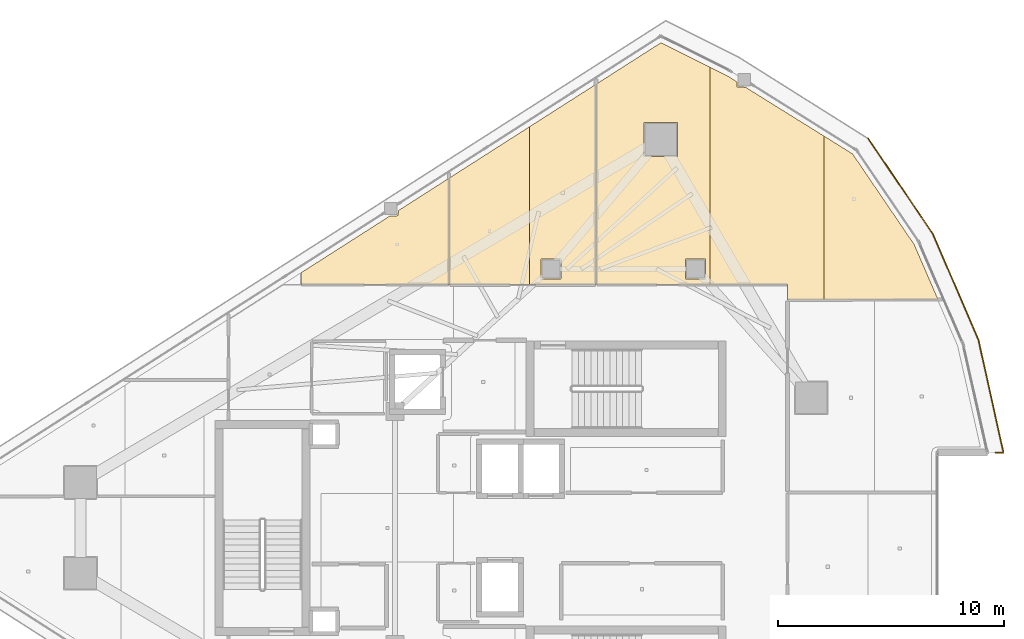
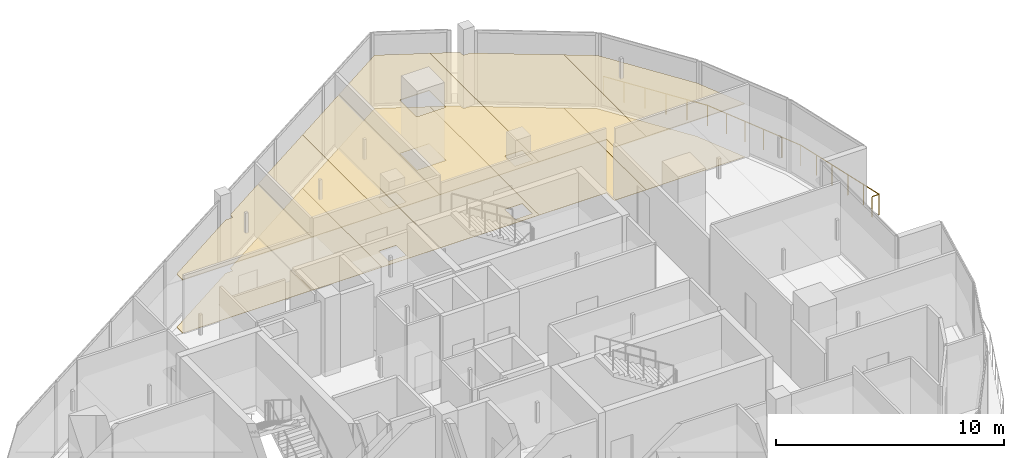
# One storey, part 23 of 23: 12 coverings, 1 railing.
"""IFC4 building model written with IfcOpenShell, lengths in metres."""

from ifc_helpers import new_model, si_unit, direction, frame, origin, origin_2d, place, context, subcontext, project, spatial, polyline, circle, outline, extrude, material, layer, layer_set, type_object, element, save


model = new_model("IFC4")

# Units and contexts
model_context = context("Model", 3, precision=1e-05, world=origin(), true_north=direction((0.0, 1.0)))
body_context = subcontext(model_context, "Body", "Model", "MODEL_VIEW")
ifc_project = project(units=[si_unit("LENGTHUNIT", "METRE"), si_unit("AREAUNIT", "SQUARE_METRE"), si_unit("VOLUMEUNIT", "CUBIC_METRE"), si_unit("PLANEANGLEUNIT", "RADIAN"), si_unit("MASSUNIT", "GRAM", prefix="KILO")], contexts=[model_context])

# Site, building, storey
site_placement = place(None, origin())
site = spatial("IfcSite", under=ifc_project, at=site_placement, CompositionType="ELEMENT")
building_placement = place(site_placement, origin())
building = spatial("IfcBuilding", under=site, at=building_placement, Name="Qorvath Tower", CompositionType="ELEMENT")
storey_placement = place(building_placement, frame((0.0, 0.0, 310.199951171875)))
storey = spatial("IfcBuildingStorey", under=building, at=storey_placement, Name="L72", CompositionType="ELEMENT", Elevation=310.199951171875)

# Coverings
ifc_material_1 = material(Name="Acoustic mineral fibre ceiling tile", Category="gypsum")
ifc_layer_1 = layer(ifc_material_1, 0.030029296875)
ifc_layer_set_1 = layer_set([ifc_layer_1], Name="COV-CEIL")
covering_type_1 = type_object("IfcCoveringType", Name="COV-CEIL", PredefinedType="CEILING", material=ifc_layer_set_1)
covering_1_placement = place(storey_placement, frame((0.0, 0.0, 2.85009765625)))
element("IfcCovering", 1, at=covering_1_placement, inside=storey, type_object=covering_type_1, Name="L72 Suspended Acoustic Ceiling 013", PredefinedType="CEILING", context=body_context, shape_type="SweptSolid", body=[
    extrude(outline(polyline([(-28.106689453125, 15.464599609375), (-30.34228515625, 14.035888671875), (-30.35986328125, 13.806884765625), (-30.72802734375, 13.789306640625), (-34.64501953125, 11.285888671875), (-34.64501953125, 10.762939453125), (-28.106689453125, 10.762939453125), (-28.106689453125, 15.464599609375)])), origin(), (0.0, 0.0, 1.0), 0.030029296875),
])
covering_2_placement = place(storey_placement, frame((0.0, 0.0, 2.85009765625)))
element("IfcCovering", 2, at=covering_2_placement, inside=storey, type_object=covering_type_1, Name="L72 Suspended Acoustic Ceiling 014", PredefinedType="CEILING", context=body_context, shape_type="SweptSolid", body=[
    extrude(outline(polyline([(-28.0888671875, 15.47607421875), (-28.0888671875, 10.762939453125), (-24.537353515625, 10.762939453125), (-24.537353515625, 17.745849609375), (-28.0888671875, 15.47607421875)])), origin(), (0.0, 0.0, 1.0), 0.030029296875),
])
covering_3_placement = place(storey_placement, frame((0.0, 0.0, 2.85009765625)))
element("IfcCovering", 3, at=covering_3_placement, inside=storey, type_object=covering_type_1, Name="L72 Suspended Acoustic Ceiling 015", PredefinedType="CEILING", context=body_context, shape_type="SweptSolid", body=[
    extrude(outline(polyline([(-24.537353515625, 17.745849609375), (-24.537353515625, 10.762939453125), (-21.611328125, 10.762939453125), (-21.611328125, 19.615966796875), (-24.537353515625, 17.745849609375)]), holes=[polyline([(-24.04248046875, 11.007568359375), (-24.04248046875, 11.892333984375), (-23.157470703125, 11.892333984375), (-23.157470703125, 11.007568359375), (-24.04248046875, 11.007568359375)])]), origin(), (0.0, 0.0, 1.0), 0.030029296875),
])
covering_4_placement = place(storey_placement, frame((0.0, 0.0, 2.85009765625)))
element("IfcCovering", 4, at=covering_4_placement, inside=storey, type_object=covering_type_1, Name="L72 Suspended Acoustic Ceiling 016", PredefinedType="CEILING", context=body_context, shape_type="SweptSolid", body=[
    extrude(outline(polyline([(-16.5576171875, 10.760009765625), (-16.5576171875, 20.364990234375), (-18.735595703125, 21.453857421875), (-21.59326171875, 19.62744140625), (-21.59326171875, 10.762939453125), (-16.5576171875, 10.760009765625)]), holes=[polyline([(-17.642333984375, 11.007568359375), (-17.642333984375, 11.892333984375), (-16.757568359375, 11.892333984375), (-16.757568359375, 11.007568359375), (-17.642333984375, 11.007568359375)]), polyline([(-19.492919921875, 16.43310546875), (-19.492919921875, 17.91796875), (-18.008056640625, 17.91796875), (-18.008056640625, 16.43310546875), (-19.492919921875, 16.43310546875)])]), origin(), (0.0, 0.0, 1.0), 0.030029296875),
])
covering_5_placement = place(storey_placement, frame((0.0, 0.0, 2.85009765625)))
element("IfcCovering", 5, at=covering_5_placement, inside=storey, type_object=covering_type_1, Name="L72 Suspended Acoustic Ceiling 017", PredefinedType="CEILING", context=body_context, shape_type="SweptSolid", body=[
    extrude(outline(polyline([(-13.136962890625, 10.758056640625), (-13.136962890625, 10.0791015625), (-11.52197265625, 10.0859375), (-11.52197265625, 17.32373046875), (-14.991455078125, 19.483154296875), (-15.363525390625, 19.500732421875), (-15.381103515625, 19.727294921875), (-15.76953125, 19.970947265625), (-16.5576171875, 20.364990234375), (-16.5576171875, 10.760009765625), (-13.136962890625, 10.758056640625)])), origin(), (0.0, 0.0, 1.0), 0.030029296875),
])
covering_6_placement = place(storey_placement, frame((0.0, 0.0, 2.85009765625)))
element("IfcCovering", 6, at=covering_6_placement, inside=storey, type_object=covering_type_1, Name="L72 Suspended Acoustic Ceiling 018", PredefinedType="CEILING", context=body_context, shape_type="SweptSolid", body=[
    extrude(outline(polyline([(-11.52197265625, 17.32373046875), (-11.52197265625, 10.0859375), (-6.486328125, 10.10693359375), (-7.536865234375, 12.5302734375), (-10.26171875, 16.539306640625), (-11.52197265625, 17.32373046875)])), origin(), (0.0, 0.0, 1.0), 0.030029296875),
])
ifc_material_2 = material(Name="Low-VOC modular carpet tile", Category="textile")
ifc_layer_2 = layer(ifc_material_2, 0.014892578125)
ifc_layer_set_2 = layer_set([ifc_layer_2], Name="COV-FLOOR-CPT")
covering_type_2 = type_object("IfcCoveringType", Name="COV-FLOOR-CPT", PredefinedType="FLOORING", material=ifc_layer_set_2)
covering_7_placement = place(storey_placement, origin())
element("IfcCovering", 7, at=covering_7_placement, inside=storey, type_object=covering_type_2, Name="L72 Floor Finish 013", PredefinedType="FLOORING", context=body_context, shape_type="SweptSolid", body=[
    extrude(outline(polyline([(-28.106689453125, 15.464599609375), (-30.34228515625, 14.035888671875), (-30.35986328125, 13.806884765625), (-30.72802734375, 13.789306640625), (-34.64501953125, 11.285888671875), (-34.64501953125, 10.762939453125), (-28.106689453125, 10.762939453125), (-28.106689453125, 15.464599609375)])), origin(), (0.0, 0.0, 1.0), 0.01513671875),
])
covering_8_placement = place(storey_placement, origin())
element("IfcCovering", 8, at=covering_8_placement, inside=storey, type_object=covering_type_2, Name="L72 Floor Finish 014", PredefinedType="FLOORING", context=body_context, shape_type="SweptSolid", body=[
    extrude(outline(polyline([(-28.0888671875, 15.47607421875), (-28.0888671875, 10.762939453125), (-24.537353515625, 10.762939453125), (-24.537353515625, 17.745849609375), (-28.0888671875, 15.47607421875)])), origin(), (0.0, 0.0, 1.0), 0.01513671875),
])
covering_9_placement = place(storey_placement, origin())
element("IfcCovering", 9, at=covering_9_placement, inside=storey, type_object=covering_type_2, Name="L72 Floor Finish 015", PredefinedType="FLOORING", context=body_context, shape_type="SweptSolid", body=[
    extrude(outline(polyline([(-24.537353515625, 17.745849609375), (-24.537353515625, 10.762939453125), (-21.611328125, 10.762939453125), (-21.611328125, 19.615966796875), (-24.537353515625, 17.745849609375)]), holes=[polyline([(-24.04248046875, 11.007568359375), (-24.04248046875, 11.892333984375), (-23.157470703125, 11.892333984375), (-23.157470703125, 11.007568359375), (-24.04248046875, 11.007568359375)])]), origin(), (0.0, 0.0, 1.0), 0.01513671875),
])
covering_10_placement = place(storey_placement, origin())
element("IfcCovering", 10, at=covering_10_placement, inside=storey, type_object=covering_type_2, Name="L72 Floor Finish 016", PredefinedType="FLOORING", context=body_context, shape_type="SweptSolid", body=[
    extrude(outline(polyline([(-16.5576171875, 10.760009765625), (-16.5576171875, 20.364990234375), (-18.735595703125, 21.453857421875), (-21.59326171875, 19.62744140625), (-21.59326171875, 10.762939453125), (-16.5576171875, 10.760009765625)]), holes=[polyline([(-17.642333984375, 11.007568359375), (-17.642333984375, 11.892333984375), (-16.757568359375, 11.892333984375), (-16.757568359375, 11.007568359375), (-17.642333984375, 11.007568359375)]), polyline([(-19.492919921875, 16.43310546875), (-19.492919921875, 17.91796875), (-18.008056640625, 17.91796875), (-18.008056640625, 16.43310546875), (-19.492919921875, 16.43310546875)])]), origin(), (0.0, 0.0, 1.0), 0.01513671875),
])
covering_11_placement = place(storey_placement, origin())
element("IfcCovering", 11, at=covering_11_placement, inside=storey, type_object=covering_type_2, Name="L72 Floor Finish 017", PredefinedType="FLOORING", context=body_context, shape_type="SweptSolid", body=[
    extrude(outline(polyline([(-13.136962890625, 10.758056640625), (-13.136962890625, 10.0791015625), (-11.52197265625, 10.0859375), (-11.52197265625, 17.32373046875), (-14.991455078125, 19.483154296875), (-15.363525390625, 19.500732421875), (-15.381103515625, 19.727294921875), (-15.76953125, 19.970947265625), (-16.5576171875, 20.364990234375), (-16.5576171875, 10.760009765625), (-13.136962890625, 10.758056640625)])), origin(), (0.0, 0.0, 1.0), 0.01513671875),
])
covering_12_placement = place(storey_placement, origin())
element("IfcCovering", 12, at=covering_12_placement, inside=storey, type_object=covering_type_2, Name="L72 Floor Finish 018", PredefinedType="FLOORING", context=body_context, shape_type="SweptSolid", body=[
    extrude(outline(polyline([(-11.52197265625, 17.32373046875), (-11.52197265625, 10.0859375), (-6.486328125, 10.10693359375), (-7.536865234375, 12.5302734375), (-10.26171875, 16.539306640625), (-11.52197265625, 17.32373046875)])), origin(), (0.0, 0.0, 1.0), 0.01513671875),
])

# Railing
ifc_material_3 = material(Name="Laminated safety glass and stainless steel AISI 316", Category="steel")
railing_type = type_object("IfcRailingType", Name="RL-EXT-GRD", PredefinedType="GUARDRAIL", material=ifc_material_3)
railing_placement = place(storey_placement, frame((-9.57177734375, 17.2236328125, 0.0)))
element("IfcRailing", 13, at=railing_placement, inside=storey, type_object=railing_type, Name="Loggia Perimeter Guardrail L72-1.1", PredefinedType="GUARDRAIL", context=body_context, shape_type="SweptSolid", body=[
    extrude(circle(Radius=0.02392578125, at=origin_2d()), frame((0.0, 0.0, 1.09619140625), z_axis=(0.560824867465, -0.827934458778, 0.0), x_axis=(0.827934458778, 0.560824867465, 0.0)), (0.0, 0.0, 1.0), 5.10205078125),
    extrude(circle(Radius=0.02392578125, at=origin_2d()), frame((2.861328125, -4.22412109375, 1.09619140625), z_axis=(0.395477972793, -0.918475461314, 0.0), x_axis=(0.918475461314, 0.395477972793, 0.0)), (0.0, 0.0, 1.0), 5.102294921875),
    extrude(circle(Radius=0.02392578125, at=origin_2d()), frame((4.879150390625, -8.910400390625, 1.09619140625), z_axis=(0.216099444047, -0.976371358799, 0.0), x_axis=(0.976371358799, 0.216099444047, 0.0)), (0.0, 0.0, 1.0), 5.10205078125),
    extrude(circle(Radius=0.02392578125, at=origin_2d()), frame((5.981689453125, -13.891845703125, 1.09619140625), z_axis=(-1.0, 0.0, 0.0), x_axis=(0.0, -1.0, 0.0)), (0.0, 0.0, 1.0), 0.35400390625),
    extrude(circle(Radius=0.02099609375, at=origin_2d()), origin(), (0.0, 0.0, 1.0), 1.072021484375),
    extrude(circle(Radius=0.02099609375, at=origin_2d()), frame((0.572265625, -0.8447265625, 0.0)), (0.0, 0.0, 1.0), 1.072021484375),
    extrude(circle(Radius=0.02099609375, at=origin_2d()), frame((1.14453125, -1.689697265625, 0.0)), (0.0, 0.0, 1.0), 1.072021484375),
    extrude(circle(Radius=0.02099609375, at=origin_2d()), frame((1.716796875, -2.534423828125, 0.0)), (0.0, 0.0, 1.0), 1.072021484375),
    extrude(circle(Radius=0.02099609375, at=origin_2d()), frame((2.2890625, -3.37939453125, 0.0)), (0.0, 0.0, 1.0), 1.072021484375),
    extrude(circle(Radius=0.02099609375, at=origin_2d()), frame((2.861328125, -4.22412109375, 0.0)), (0.0, 0.0, 1.0), 1.072021484375),
    extrude(circle(Radius=0.02099609375, at=origin_2d()), frame((3.264892578125, -5.161376953125, 0.0)), (0.0, 0.0, 1.0), 1.072021484375),
    extrude(circle(Radius=0.02099609375, at=origin_2d()), frame((3.66845703125, -6.0986328125, 0.0)), (0.0, 0.0, 1.0), 1.072021484375),
    extrude(circle(Radius=0.02099609375, at=origin_2d()), frame((4.072021484375, -7.035888671875, 0.0)), (0.0, 0.0, 1.0), 1.072021484375),
    extrude(circle(Radius=0.02099609375, at=origin_2d()), frame((4.4755859375, -7.97314453125, 0.0)), (0.0, 0.0, 1.0), 1.072021484375),
    extrude(circle(Radius=0.02099609375, at=origin_2d()), frame((4.879150390625, -8.910400390625, 0.0)), (0.0, 0.0, 1.0), 1.072021484375),
    extrude(circle(Radius=0.02099609375, at=origin_2d()), frame((5.099609375, -9.90673828125, 0.0)), (0.0, 0.0, 1.0), 1.072021484375),
    extrude(circle(Radius=0.02099609375, at=origin_2d()), frame((5.320068359375, -10.903076171875, 0.0)), (0.0, 0.0, 1.0), 1.072021484375),
    extrude(circle(Radius=0.02099609375, at=origin_2d()), frame((5.540771484375, -11.899169921875, 0.0)), (0.0, 0.0, 1.0), 1.072021484375),
    extrude(circle(Radius=0.02099609375, at=origin_2d()), frame((5.76123046875, -12.8955078125, 0.0)), (0.0, 0.0, 1.0), 1.072021484375),
    extrude(circle(Radius=0.02099609375, at=origin_2d()), frame((5.981689453125, -13.891845703125, 0.0)), (0.0, 0.0, 1.0), 1.072021484375),
    extrude(circle(Radius=0.02099609375, at=origin_2d()), frame((5.627685546875, -13.891845703125, 0.0)), (0.0, 0.0, 1.0), 1.072021484375),
])

save(model, "model.ifc")
